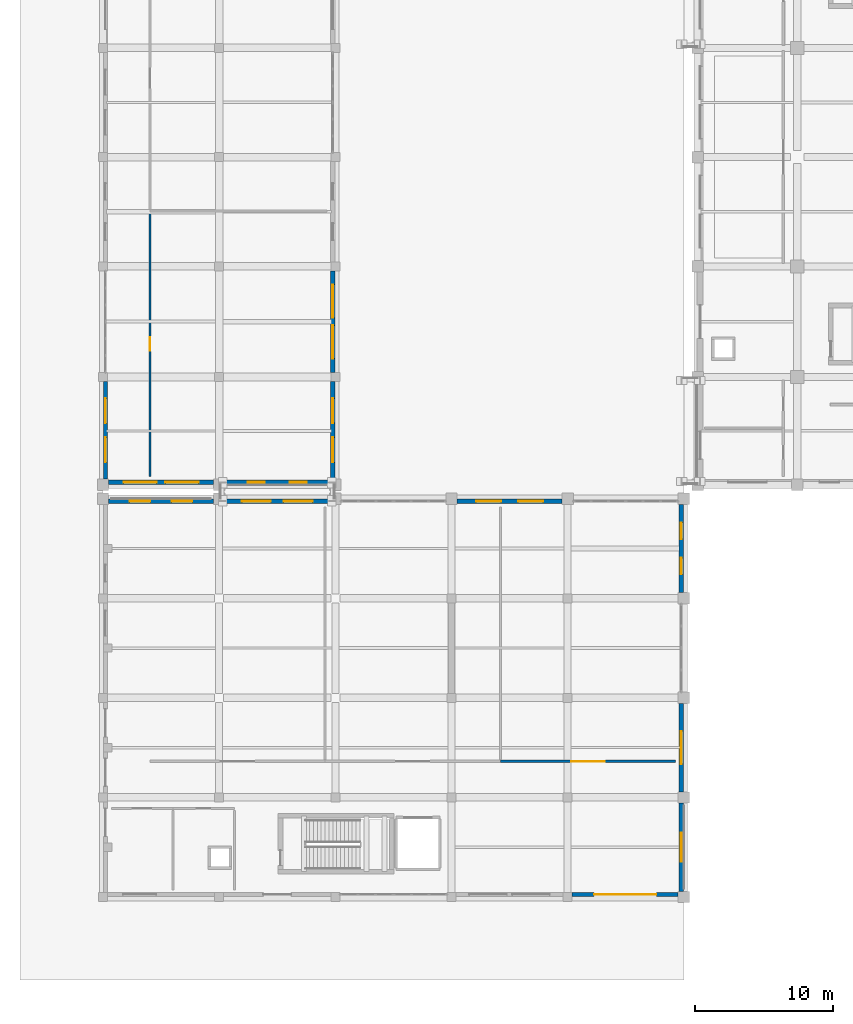
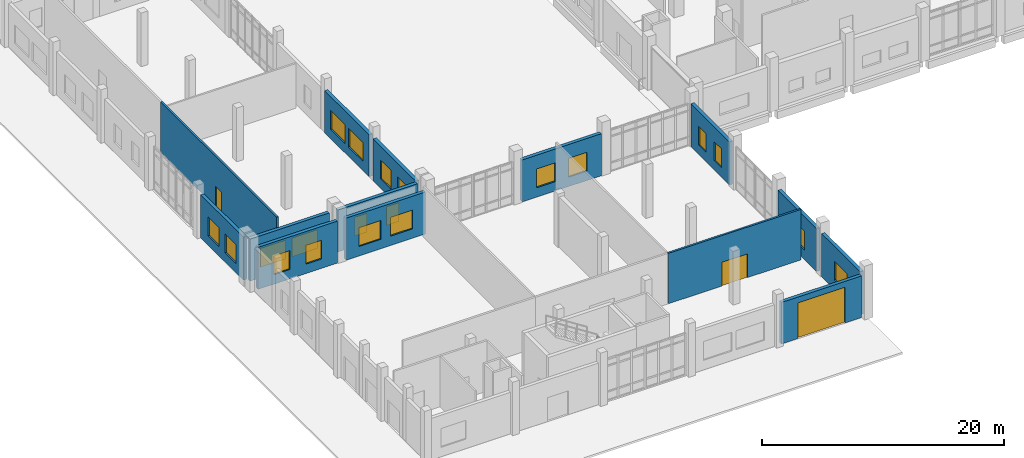
# One storey, part 51 of 79: 20 windows, 14 walls, 3 doors, 23 openings.
"""IFC4 building model written with IfcOpenShell, lengths in metres."""

from ifc_helpers import new_model, si_unit, direction, frame, frame_2d, origin, place, context, subcontext, project, spatial, rectangle, extrude, material, layer, layer_set, type_object, element, fill, save


model = new_model("IFC4")

# Units and contexts
model_context = context("Model", 3, precision=1e-05, world=origin(), true_north=direction((0.0, 1.0)))
body_context = subcontext(model_context, "Body", "Model", "MODEL_VIEW")
ifc_project = project(units=[si_unit("LENGTHUNIT", "METRE"), si_unit("AREAUNIT", "SQUARE_METRE"), si_unit("VOLUMEUNIT", "CUBIC_METRE"), si_unit("PLANEANGLEUNIT", "RADIAN"), si_unit("MASSUNIT", "GRAM", prefix="KILO")], contexts=[model_context])

# Site, building, storey
site_placement = place(None, origin())
site = spatial("IfcSite", under=ifc_project, at=site_placement, CompositionType="ELEMENT")
building_placement = place(site_placement, origin())
building = spatial("IfcBuilding", under=site, at=building_placement, Name="Kelarvand Opera House", CompositionType="ELEMENT")
storey_placement = place(building_placement, origin())
storey = spatial("IfcBuildingStorey", under=building, at=storey_placement, Name="L00", CompositionType="ELEMENT", Elevation=0.0)

# Wall, opening, door
ifc_material_1 = material(Name="Concrete C35/45", Category="concrete")
ifc_layer_1 = layer(ifc_material_1, 0.179931640625, Name="Concrete C35/45", Category="concrete")
ifc_layer_set_1 = layer_set([ifc_layer_1], Name="Concrete C35/45")
wall_type_1 = type_object("IfcWallType", Name="Corridor Fire-Rated Partition Wall 180 EI90", PredefinedType="PARTITIONING", material=ifc_layer_set_1)
wall_1_placement = place(storey_placement, frame((37.73291015625, 18.800048828125, 0.0), z_axis=(0.0, 0.0, 1.0), x_axis=(1.0, 0.0, 0.0)))
wall_1 = element("IfcWall", 1, at=wall_1_placement, inside=storey, type_object=wall_type_1, Name="V4 L00 Partition Wall IW-90 (291)", PredefinedType="PARTITIONING", context=body_context, shape_type="SweptSolid", body=[
    extrude(rectangle(XDim=12.6669921875, YDim=0.179931640625, at=frame_2d((6.33349609375, 0.0))), origin(), (0.0, 0.0, 1.0), 5.092041015625),
])
opening_1_placement = place(wall_1_placement, frame((5.134033203125, 0.0, 0.0)))
opening_1 = element("IfcOpeningElement", 2, at=opening_1_placement, cuts=wall_1, Name="Opening D-05", PredefinedType="OPENING", context=body_context, shape_type="SweptSolid", body=[
    extrude(rectangle(XDim=2.39990234375, YDim=2.39990234375, at=frame_2d((1.199951171875, 1.199951171875))), frame((0.0, 0.10009765625, 0.0), z_axis=(0.0, -1.0, 0.0), x_axis=(1.0, 0.0, 0.0)), (0.0, 0.0, 1.0), 0.199951171875),
])
ifc_material_2 = material(Name="Acoustic walnut-veneered hardwood", Category="wood")
door_type_1 = type_object("IfcDoorType", Name="Stage Acoustic Scenery Double Door 2400x2400", OperationType="NOTDEFINED", PredefinedType="DOOR", material=ifc_material_2)
door_1_placement = place(opening_1_placement, origin())
door_1 = element("IfcDoor", 3, at=door_1_placement, inside=storey, type_object=door_type_1, Name="V4 L00 Door D-05 (126)", OperationType="DOUBLE_DOOR_SINGLE_SWING", OverallHeight=2.39990234375, OverallWidth=2.39990234375, PredefinedType="DOOR", context=body_context, shape_type="SweptSolid", body=[
    extrude(rectangle(XDim=2.39990234375, YDim=2.39990234375, at=frame_2d((1.199951171875, 1.199951171875))), frame((0.0, 0.02490234375, 0.0), z_axis=(0.0, -1.0, 0.0), x_axis=(1.0, 0.0, 0.0)), (0.0, 0.0, 1.0), 0.050048828125),
])
fill(opening_1, door_1)

wall_2_placement = place(storey_placement, frame((12.39990234375, 39.39990234375, 0.0), z_axis=(0.0, 0.0, 1.0), x_axis=(0.0, 1.0, 0.0)))
wall_2 = element("IfcWall", 4, at=wall_2_placement, inside=storey, type_object=wall_type_1, Name="V4 L00 Partition Wall IW-90 (296)", PredefinedType="PARTITIONING", context=body_context, shape_type="SweptSolid", body=[
    extrude(rectangle(XDim=19.2001953125, YDim=0.179931640625, at=frame_2d((9.60009765625, 0.0))), origin(), (0.0, 0.0, 1.0), 5.092041015625),
])
opening_2_placement = place(wall_2_placement, frame((9.110107421875, 0.0, 0.0)))
opening_2 = element("IfcOpeningElement", 5, at=opening_2_placement, cuts=wall_2, Name="Opening D-09", PredefinedType="OPENING", context=body_context, shape_type="SweptSolid", body=[
    extrude(rectangle(XDim=0.97998046875, YDim=2.080078125, at=frame_2d((0.489990234375, 1.0400390625))), frame((0.0, 0.10009765625, 0.0), z_axis=(0.0, -1.0, 0.0), x_axis=(1.0, 0.0, 0.0)), (0.0, 0.0, 1.0), 0.199951171875),
])
door_type_2 = type_object("IfcDoorType", Name="Soloist Acoustic Timber Door 980x2080", OperationType="NOTDEFINED", PredefinedType="DOOR", material=ifc_material_2)
door_2_placement = place(opening_2_placement, origin())
door_2 = element("IfcDoor", 6, at=door_2_placement, inside=storey, type_object=door_type_2, Name="V4 L00 Door D-09 (129)", OperationType="SINGLE_SWING_RIGHT", OverallHeight=2.080078125, OverallWidth=0.97998046875, PredefinedType="DOOR", context=body_context, shape_type="SweptSolid", body=[
    extrude(rectangle(XDim=0.97998046875, YDim=2.080078125, at=frame_2d((0.489990234375, 1.0400390625))), frame((0.0, 0.02490234375, 0.0), z_axis=(0.0, -1.0, 0.0), x_axis=(1.0, 0.0, 0.0)), (0.0, 0.0, 1.0), 0.050048828125),
])
fill(opening_2, door_2)

# Wall, openings, windows
ifc_layer_2 = layer(ifc_material_1, 0.320068359375, Name="Concrete C35/45", Category="concrete")
ifc_layer_set_2 = layer_set([ifc_layer_2], Name="Concrete C35/45")
wall_type_2 = type_object("IfcWallType", Name="Insulated Buff Brick Cavity Wall 320", PredefinedType="SOLIDWALL", material=ifc_layer_set_2)
wall_3_placement = place(storey_placement, frame((9.409912109375, 37.6201171875, 0.0), z_axis=(0.0, 0.0, 1.0), x_axis=(1.0, 0.0, 0.0)))
wall_3 = element("IfcWall", 7, at=wall_3_placement, inside=storey, type_object=wall_type_2, Name="V4 L00 Exterior Wall EW-320 (510)", PredefinedType="SOLIDWALL", context=body_context, shape_type="SweptSolid", body=[
    extrude(rectangle(XDim=7.580078125, YDim=0.320068359375, at=frame_2d((3.7900390625, 0.0))), origin(), (0.0, 0.0, 1.0), 4.241943359375),
])
opening_3_placement = place(wall_3_placement, frame((1.52392578125, 0.0, 0.949951171875)))
opening_3 = element("IfcOpeningElement", 8, at=opening_3_placement, cuts=wall_3, Name="Opening WN-11", PredefinedType="OPENING", context=body_context, shape_type="SweptSolid", body=[
    extrude(rectangle(XDim=1.5, YDim=1.89990234375, at=frame_2d((0.75, 0.949951171875))), frame((0.0, 0.169921875, 0.0), z_axis=(0.0, -1.0, 0.0), x_axis=(1.0, 0.0, 0.0)), (0.0, 0.0, 1.0), 0.340087890625),
])
opening_4_placement = place(wall_3_placement, frame((4.555908203125, 0.0, 0.949951171875)))
opening_4 = element("IfcOpeningElement", 9, at=opening_4_placement, cuts=wall_3, Name="Opening WN-11", PredefinedType="OPENING", context=body_context, shape_type="SweptSolid", body=[
    extrude(rectangle(XDim=1.5, YDim=1.89990234375, at=frame_2d((0.75, 0.949951171875))), frame((0.0, 0.169921875, 0.0), z_axis=(0.0, -1.0, 0.0), x_axis=(1.0, 0.0, 0.0)), (0.0, 0.0, 1.0), 0.340087890625),
])
ifc_material_3 = material(Name="Thermally broken aluminium and low-E double glazing", Category="aluminium")
window_type_1 = type_object("IfcWindowType", Name="Recessed Aluminium Thermal Window 1500x1900 WN-11", PartitioningType="SINGLE_PANEL", PredefinedType="WINDOW", material=ifc_material_3)
window_1_placement = place(opening_3_placement, origin())
window_1 = element("IfcWindow", 10, at=window_1_placement, inside=storey, type_object=window_type_1, Name="V4 L00 Facade Window WN-11 (205)", OverallHeight=1.89990234375, OverallWidth=1.5, PartitioningType="SINGLE_PANEL", PredefinedType="WINDOW", context=body_context, shape_type="SweptSolid", body=[
    extrude(rectangle(XDim=1.5, YDim=1.89990234375, at=frame_2d((0.75, 0.949951171875))), frame((0.0, 0.030029296875, 0.0), z_axis=(0.0, -1.0, 0.0), x_axis=(1.0, 0.0, 0.0)), (0.0, 0.0, 1.0), 0.06005859375),
])
fill(opening_3, window_1)
window_2_placement = place(opening_4_placement, origin())
window_2 = element("IfcWindow", 11, at=window_2_placement, inside=storey, type_object=window_type_1, Name="V4 L00 Facade Window WN-11 (206)", OverallHeight=1.89990234375, OverallWidth=1.5, PartitioningType="SINGLE_PANEL", PredefinedType="WINDOW", context=body_context, shape_type="SweptSolid", body=[
    extrude(rectangle(XDim=1.5, YDim=1.89990234375, at=frame_2d((0.75, 0.949951171875))), frame((0.0, 0.030029296875, 0.0), z_axis=(0.0, -1.0, 0.0), x_axis=(1.0, 0.0, 0.0)), (0.0, 0.0, 1.0), 0.06005859375),
])
fill(opening_4, window_2)

wall_4_placement = place(storey_placement, frame((17.81005859375, 37.6201171875, 0.0), z_axis=(0.0, 0.0, 1.0), x_axis=(1.0, 0.0, 0.0)))
wall_4 = element("IfcWall", 12, at=wall_4_placement, inside=storey, type_object=wall_type_2, Name="V4 L00 Exterior Wall EW-320 (511)", PredefinedType="SOLIDWALL", context=body_context, shape_type="SweptSolid", body=[
    extrude(rectangle(XDim=7.579833984375, YDim=0.320068359375, at=frame_2d((3.7900390625, 0.0))), origin(), (0.0, 0.0, 1.0), 4.241943359375),
])
opening_5_placement = place(wall_4_placement, frame((1.22412109375, 0.0, 0.949951171875)))
opening_5 = element("IfcOpeningElement", 13, at=opening_5_placement, cuts=wall_4, Name="Opening WN-13", PredefinedType="OPENING", context=body_context, shape_type="SweptSolid", body=[
    extrude(rectangle(XDim=2.10009765625, YDim=1.89990234375, at=frame_2d((1.050048828125, 0.949951171875))), frame((0.0, 0.169921875, 0.0), z_axis=(0.0, -1.0, 0.0), x_axis=(1.0, 0.0, 0.0)), (0.0, 0.0, 1.0), 0.340087890625),
])
opening_6_placement = place(wall_4_placement, frame((4.256103515625, 0.0, 0.949951171875)))
opening_6 = element("IfcOpeningElement", 14, at=opening_6_placement, cuts=wall_4, Name="Opening WN-13", PredefinedType="OPENING", context=body_context, shape_type="SweptSolid", body=[
    extrude(rectangle(XDim=2.10009765625, YDim=1.89990234375, at=frame_2d((1.050048828125, 0.949951171875))), frame((0.0, 0.169921875, 0.0), z_axis=(0.0, -1.0, 0.0), x_axis=(1.0, 0.0, 0.0)), (0.0, 0.0, 1.0), 0.340087890625),
])
window_type_2 = type_object("IfcWindowType", Name="Recessed Aluminium Thermal Window 2100x1900 WN-13", PartitioningType="SINGLE_PANEL", PredefinedType="WINDOW", material=ifc_material_3)
window_3_placement = place(opening_5_placement, origin())
window_3 = element("IfcWindow", 15, at=window_3_placement, inside=storey, type_object=window_type_2, Name="V4 L00 Facade Window WN-13 (207)", OverallHeight=1.89990234375, OverallWidth=2.10009765625, PartitioningType="SINGLE_PANEL", PredefinedType="WINDOW", context=body_context, shape_type="SweptSolid", body=[
    extrude(rectangle(XDim=2.10009765625, YDim=1.89990234375, at=frame_2d((1.050048828125, 0.949951171875))), frame((0.0, 0.030029296875, 0.0), z_axis=(0.0, -1.0, 0.0), x_axis=(1.0, 0.0, 0.0)), (0.0, 0.0, 1.0), 0.06005859375),
])
fill(opening_5, window_3)
window_4_placement = place(opening_6_placement, origin())
window_4 = element("IfcWindow", 16, at=window_4_placement, inside=storey, type_object=window_type_2, Name="V4 L00 Facade Window WN-13 (208)", OverallHeight=1.89990234375, OverallWidth=2.10009765625, PartitioningType="SINGLE_PANEL", PredefinedType="WINDOW", context=body_context, shape_type="SweptSolid", body=[
    extrude(rectangle(XDim=2.10009765625, YDim=1.89990234375, at=frame_2d((1.050048828125, 0.949951171875))), frame((0.0, 0.030029296875, 0.0), z_axis=(0.0, -1.0, 0.0), x_axis=(1.0, 0.0, 0.0)), (0.0, 0.0, 1.0), 0.06005859375),
])
fill(opening_6, window_4)

wall_5_placement = place(storey_placement, frame((34.610107421875, 37.6201171875, 0.0), z_axis=(0.0, 0.0, 1.0), x_axis=(1.0, 0.0, 0.0)))
wall_5 = element("IfcWall", 17, at=wall_5_placement, inside=storey, type_object=wall_type_2, Name="V4 L00 Exterior Wall EW-320 (512)", PredefinedType="SOLIDWALL", context=body_context, shape_type="SweptSolid", body=[
    extrude(rectangle(XDim=7.579833984375, YDim=0.320068359375, at=frame_2d((3.7900390625, 0.0))), origin(), (0.0, 0.0, 1.0), 4.241943359375),
])
opening_7_placement = place(wall_5_placement, frame((1.3740234375, 0.0, 0.949951171875)))
opening_7 = element("IfcOpeningElement", 18, at=opening_7_placement, cuts=wall_5, Name="Opening WN-12", PredefinedType="OPENING", context=body_context, shape_type="SweptSolid", body=[
    extrude(rectangle(XDim=1.800048828125, YDim=1.89990234375, at=frame_2d((0.89990234375, 0.949951171875))), frame((0.0, 0.169921875, 0.0), z_axis=(0.0, -1.0, 0.0), x_axis=(1.0, 0.0, 0.0)), (0.0, 0.0, 1.0), 0.340087890625),
])
opening_8_placement = place(wall_5_placement, frame((4.406005859375, 0.0, 0.949951171875)))
opening_8 = element("IfcOpeningElement", 19, at=opening_8_placement, cuts=wall_5, Name="Opening WN-12", PredefinedType="OPENING", context=body_context, shape_type="SweptSolid", body=[
    extrude(rectangle(XDim=1.800048828125, YDim=1.89990234375, at=frame_2d((0.89990234375, 0.949951171875))), frame((0.0, 0.169921875, 0.0), z_axis=(0.0, -1.0, 0.0), x_axis=(1.0, 0.0, 0.0)), (0.0, 0.0, 1.0), 0.340087890625),
])
window_type_3 = type_object("IfcWindowType", Name="Recessed Aluminium Thermal Window 1800x1900 WN-12", PartitioningType="SINGLE_PANEL", PredefinedType="WINDOW", material=ifc_material_3)
window_5_placement = place(opening_7_placement, origin())
window_5 = element("IfcWindow", 20, at=window_5_placement, inside=storey, type_object=window_type_3, Name="V4 L00 Facade Window WN-12 (209)", OverallHeight=1.89990234375, OverallWidth=1.800048828125, PartitioningType="SINGLE_PANEL", PredefinedType="WINDOW", context=body_context, shape_type="SweptSolid", body=[
    extrude(rectangle(XDim=1.800048828125, YDim=1.89990234375, at=frame_2d((0.89990234375, 0.949951171875))), frame((0.0, 0.030029296875, 0.0), z_axis=(0.0, -1.0, 0.0), x_axis=(1.0, 0.0, 0.0)), (0.0, 0.0, 1.0), 0.06005859375),
])
fill(opening_7, window_5)
window_6_placement = place(opening_8_placement, origin())
window_6 = element("IfcWindow", 21, at=window_6_placement, inside=storey, type_object=window_type_3, Name="V4 L00 Facade Window WN-12 (210)", OverallHeight=1.89990234375, OverallWidth=1.800048828125, PartitioningType="SINGLE_PANEL", PredefinedType="WINDOW", context=body_context, shape_type="SweptSolid", body=[
    extrude(rectangle(XDim=1.800048828125, YDim=1.89990234375, at=frame_2d((0.89990234375, 0.949951171875))), frame((0.0, 0.030029296875, 0.0), z_axis=(0.0, -1.0, 0.0), x_axis=(1.0, 0.0, 0.0)), (0.0, 0.0, 1.0), 0.06005859375),
])
fill(opening_8, window_6)

wall_6_placement = place(storey_placement, frame((50.820068359375, 37.389892578125, 0.0), z_axis=(0.0, 0.0, 1.0), x_axis=(0.0, -1.0, 0.0)))
wall_6 = element("IfcWall", 22, at=wall_6_placement, inside=storey, type_object=wall_type_2, Name="V4 L00 Exterior Wall EW-320 (513)", PredefinedType="SOLIDWALL", context=body_context, shape_type="SweptSolid", body=[
    extrude(rectangle(XDim=6.3798828125, YDim=0.320068359375, at=frame_2d((3.18994140625, 0.0))), origin(), (0.0, 0.0, 1.0), 4.342041015625),
])
opening_9_placement = place(wall_6_placement, frame((1.31396484375, 0.0, 0.949951171875)))
opening_9 = element("IfcOpeningElement", 23, at=opening_9_placement, cuts=wall_6, Name="Opening WN-10", PredefinedType="OPENING", context=body_context, shape_type="SweptSolid", body=[
    extrude(rectangle(XDim=1.199951171875, YDim=1.89990234375, at=frame_2d((0.60009765625, 0.949951171875))), frame((0.0, 0.169921875, 0.0), z_axis=(0.0, -1.0, 0.0), x_axis=(1.0, 0.0, 0.0)), (0.0, 0.0, 1.0), 0.340087890625),
])
opening_10_placement = place(wall_6_placement, frame((3.865966796875, 0.0, 0.949951171875)))
opening_10 = element("IfcOpeningElement", 24, at=opening_10_placement, cuts=wall_6, Name="Opening WN-10", PredefinedType="OPENING", context=body_context, shape_type="SweptSolid", body=[
    extrude(rectangle(XDim=1.199951171875, YDim=1.89990234375, at=frame_2d((0.60009765625, 0.949951171875))), frame((0.0, 0.169921875, 0.0), z_axis=(0.0, -1.0, 0.0), x_axis=(1.0, 0.0, 0.0)), (0.0, 0.0, 1.0), 0.340087890625),
])
window_type_4 = type_object("IfcWindowType", Name="Recessed Aluminium Thermal Window 1200x1900 WN-10", PartitioningType="SINGLE_PANEL", PredefinedType="WINDOW", material=ifc_material_3)
window_7_placement = place(opening_9_placement, origin())
window_7 = element("IfcWindow", 25, at=window_7_placement, inside=storey, type_object=window_type_4, Name="V4 L00 Facade Window WN-10 (211)", OverallHeight=1.89990234375, OverallWidth=1.199951171875, PartitioningType="SINGLE_PANEL", PredefinedType="WINDOW", context=body_context, shape_type="SweptSolid", body=[
    extrude(rectangle(XDim=1.199951171875, YDim=1.89990234375, at=frame_2d((0.60009765625, 0.949951171875))), frame((0.0, 0.030029296875, 0.0), z_axis=(0.0, -1.0, 0.0), x_axis=(1.0, 0.0, 0.0)), (0.0, 0.0, 1.0), 0.06005859375),
])
fill(opening_9, window_7)
window_8_placement = place(opening_10_placement, origin())
window_8 = element("IfcWindow", 26, at=window_8_placement, inside=storey, type_object=window_type_4, Name="V4 L00 Facade Window WN-10 (212)", OverallHeight=1.89990234375, OverallWidth=1.199951171875, PartitioningType="SINGLE_PANEL", PredefinedType="WINDOW", context=body_context, shape_type="SweptSolid", body=[
    extrude(rectangle(XDim=1.199951171875, YDim=1.89990234375, at=frame_2d((0.60009765625, 0.949951171875))), frame((0.0, 0.030029296875, 0.0), z_axis=(0.0, -1.0, 0.0), x_axis=(1.0, 0.0, 0.0)), (0.0, 0.0, 1.0), 0.06005859375),
])
fill(opening_10, window_8)

# Wall, opening, window
wall_7_placement = place(storey_placement, frame((50.820068359375, 22.989990234375, 0.0), z_axis=(0.0, 0.0, 1.0), x_axis=(0.0, -1.0, 0.0)))
wall_7 = element("IfcWall", 27, at=wall_7_placement, inside=storey, type_object=wall_type_2, Name="V4 L00 Exterior Wall EW-320 (514)", PredefinedType="SOLIDWALL", context=body_context, shape_type="SweptSolid", body=[
    extrude(rectangle(XDim=6.3798828125, YDim=0.320068359375, at=frame_2d((3.18994140625, 0.0))), origin(), (0.0, 0.0, 1.0), 4.342041015625),
])
opening_11_placement = place(wall_7_placement, frame((1.989990234375, 0.0, 0.949951171875)))
opening_11 = element("IfcOpeningElement", 28, at=opening_11_placement, cuts=wall_7, Name="Opening WN-14", PredefinedType="OPENING", context=body_context, shape_type="SweptSolid", body=[
    extrude(rectangle(XDim=2.39990234375, YDim=1.89990234375, at=frame_2d((1.199951171875, 0.949951171875))), frame((0.0, 0.169921875, 0.0), z_axis=(0.0, -1.0, 0.0), x_axis=(1.0, 0.0, 0.0)), (0.0, 0.0, 1.0), 0.340087890625),
])
window_type_5 = type_object("IfcWindowType", Name="Recessed Aluminium Thermal Window 2400x1900 WN-14", PartitioningType="SINGLE_PANEL", PredefinedType="WINDOW", material=ifc_material_3)
window_9_placement = place(opening_11_placement, origin())
window_9 = element("IfcWindow", 29, at=window_9_placement, inside=storey, type_object=window_type_5, Name="V4 L00 Facade Window WN-14 (213)", OverallHeight=1.89990234375, OverallWidth=2.39990234375, PartitioningType="SINGLE_PANEL", PredefinedType="WINDOW", context=body_context, shape_type="SweptSolid", body=[
    extrude(rectangle(XDim=2.39990234375, YDim=1.89990234375, at=frame_2d((1.199951171875, 0.949951171875))), frame((0.0, 0.030029296875, 0.0), z_axis=(0.0, -1.0, 0.0), x_axis=(1.0, 0.0, 0.0)), (0.0, 0.0, 1.0), 0.06005859375),
])
fill(opening_11, window_9)

wall_8_placement = place(storey_placement, frame((50.820068359375, 15.7900390625, 0.0), z_axis=(0.0, 0.0, 1.0), x_axis=(0.0, -1.0, 0.0)))
wall_8 = element("IfcWall", 30, at=wall_8_placement, inside=storey, type_object=wall_type_2, Name="V4 L00 Exterior Wall EW-320 (515)", PredefinedType="SOLIDWALL", context=body_context, shape_type="SweptSolid", body=[
    extrude(rectangle(XDim=6.380126953125, YDim=0.320068359375, at=frame_2d((3.18994140625, 0.0))), origin(), (0.0, 0.0, 1.0), 4.342041015625),
])
opening_12_placement = place(wall_8_placement, frame((2.139892578125, 0.0, 0.949951171875)))
opening_12 = element("IfcOpeningElement", 31, at=opening_12_placement, cuts=wall_8, Name="Opening WN-13", PredefinedType="OPENING", context=body_context, shape_type="SweptSolid", body=[
    extrude(rectangle(XDim=2.10009765625, YDim=1.89990234375, at=frame_2d((1.050048828125, 0.949951171875))), frame((0.0, 0.169921875, 0.0), z_axis=(0.0, -1.0, 0.0), x_axis=(1.0, 0.0, 0.0)), (0.0, 0.0, 1.0), 0.340087890625),
])
window_10_placement = place(opening_12_placement, origin())
window_10 = element("IfcWindow", 32, at=window_10_placement, inside=storey, type_object=window_type_2, Name="V4 L00 Facade Window WN-13 (214)", OverallHeight=1.89990234375, OverallWidth=2.10009765625, PartitioningType="SINGLE_PANEL", PredefinedType="WINDOW", context=body_context, shape_type="SweptSolid", body=[
    extrude(rectangle(XDim=2.10009765625, YDim=1.89990234375, at=frame_2d((1.050048828125, 0.949951171875))), frame((0.0, 0.030029296875, 0.0), z_axis=(0.0, -1.0, 0.0), x_axis=(1.0, 0.0, 0.0)), (0.0, 0.0, 1.0), 0.06005859375),
])
fill(opening_12, window_10)

# Wall, opening, door
wall_9_placement = place(storey_placement, frame((50.590087890625, 9.179931640625, 0.0), z_axis=(0.0, 0.0, 1.0), x_axis=(-1.0, 0.0, 0.0)))
wall_9 = element("IfcWall", 33, at=wall_9_placement, inside=storey, type_object=wall_type_2, Name="V4 L00 Exterior Wall EW-320 (516)", PredefinedType="SOLIDWALL", context=body_context, shape_type="SweptSolid", body=[
    extrude(rectangle(XDim=7.6650390625, YDim=0.320068359375, at=frame_2d((3.83251953125, 0.0))), origin(), (0.0, 0.0, 1.0), 4.19189453125),
])
opening_13_placement = place(wall_9_placement, frame((1.5830078125, 0.0, 0.0)))
opening_13 = element("IfcOpeningElement", 34, at=opening_13_placement, cuts=wall_9, Name="Opening SD-01", PredefinedType="OPENING", context=body_context, shape_type="SweptSolid", body=[
    extrude(rectangle(XDim=4.5, YDim=3.60009765625, at=frame_2d((2.25, 1.800048828125))), frame((0.0, 0.169921875, 0.0), z_axis=(0.0, -1.0, 0.0), x_axis=(1.0, 0.0, 0.0)), (0.0, 0.0, 1.0), 0.340087890625),
])
ifc_material_4 = material(Name="Insulated acoustic steel shutter slats", Category="steel")
door_type_3 = type_object("IfcDoorType", Name="Acoustic Semi-Trailer Loading Dock Shutter 4500x3600", OperationType="ROLLINGUP", PredefinedType="DOOR", material=ifc_material_4)
door_3_placement = place(opening_13_placement, origin())
door_3 = element("IfcDoor", 35, at=door_3_placement, inside=storey, type_object=door_type_3, Name="Semi-Trailer Scenery Loading Dock Shutter SD-01", OperationType="ROLLINGUP", OverallHeight=3.60009765625, OverallWidth=4.5, PredefinedType="DOOR", context=body_context, shape_type="SweptSolid", body=[
    extrude(rectangle(XDim=4.5, YDim=3.60009765625, at=frame_2d((2.25, 1.800048828125))), frame((0.0, 0.02490234375, 0.0), z_axis=(0.0, -1.0, 0.0), x_axis=(1.0, 0.0, 0.0)), (0.0, 0.0, 1.0), 0.050048828125),
])
fill(opening_13, door_3)

# Wall, openings, windows
wall_10_placement = place(storey_placement, frame((9.179931640625, 39.2099609375, 0.0), z_axis=(0.0, 0.0, 1.0), x_axis=(0.0, 1.0, 0.0)))
wall_10 = element("IfcWall", 36, at=wall_10_placement, inside=storey, type_object=wall_type_2, Name="V4 L00 Exterior Wall EW-320 (520)", PredefinedType="SOLIDWALL", context=body_context, shape_type="SweptSolid", body=[
    extrude(rectangle(XDim=7.06494140625, YDim=0.320068359375, at=frame_2d((3.532470703125, 0.0))), origin(), (0.0, 0.0, 1.0), 4.342041015625),
])
opening_14_placement = place(wall_10_placement, frame((1.218994140625, 0.0, 0.949951171875)))
opening_14 = element("IfcOpeningElement", 37, at=opening_14_placement, cuts=wall_10, Name="Opening WN-12", PredefinedType="OPENING", context=body_context, shape_type="SweptSolid", body=[
    extrude(rectangle(XDim=1.800048828125, YDim=1.89990234375, at=frame_2d((0.89990234375, 0.949951171875))), frame((0.0, 0.169921875, 0.0), z_axis=(0.0, -1.0, 0.0), x_axis=(1.0, 0.0, 0.0)), (0.0, 0.0, 1.0), 0.340087890625),
])
opening_15_placement = place(wall_10_placement, frame((4.044921875, 0.0, 0.949951171875)))
opening_15 = element("IfcOpeningElement", 38, at=opening_15_placement, cuts=wall_10, Name="Opening WN-12", PredefinedType="OPENING", context=body_context, shape_type="SweptSolid", body=[
    extrude(rectangle(XDim=1.800048828125, YDim=1.89990234375, at=frame_2d((0.89990234375, 0.949951171875))), frame((0.0, 0.169921875, 0.0), z_axis=(0.0, -1.0, 0.0), x_axis=(1.0, 0.0, 0.0)), (0.0, 0.0, 1.0), 0.340087890625),
])
window_11_placement = place(opening_14_placement, origin())
window_11 = element("IfcWindow", 39, at=window_11_placement, inside=storey, type_object=window_type_3, Name="V4 L00 Facade Window WN-12 (218)", OverallHeight=1.89990234375, OverallWidth=1.800048828125, PartitioningType="SINGLE_PANEL", PredefinedType="WINDOW", context=body_context, shape_type="SweptSolid", body=[
    extrude(rectangle(XDim=1.800048828125, YDim=1.89990234375, at=frame_2d((0.89990234375, 0.949951171875))), frame((0.0, 0.030029296875, 0.0), z_axis=(0.0, -1.0, 0.0), x_axis=(1.0, 0.0, 0.0)), (0.0, 0.0, 1.0), 0.06005859375),
])
fill(opening_14, window_11)
window_12_placement = place(opening_15_placement, origin())
window_12 = element("IfcWindow", 40, at=window_12_placement, inside=storey, type_object=window_type_3, Name="V4 L00 Facade Window WN-12 (219)", OverallHeight=1.89990234375, OverallWidth=1.800048828125, PartitioningType="SINGLE_PANEL", PredefinedType="WINDOW", context=body_context, shape_type="SweptSolid", body=[
    extrude(rectangle(XDim=1.800048828125, YDim=1.89990234375, at=frame_2d((0.89990234375, 0.949951171875))), frame((0.0, 0.030029296875, 0.0), z_axis=(0.0, -1.0, 0.0), x_axis=(1.0, 0.0, 0.0)), (0.0, 0.0, 1.0), 0.06005859375),
])
fill(opening_15, window_12)

wall_11_placement = place(storey_placement, frame((25.6201171875, 54.27490234375, 0.0), z_axis=(0.0, 0.0, 1.0), x_axis=(0.0, -1.0, 0.0)))
wall_11 = element("IfcWall", 41, at=wall_11_placement, inside=storey, type_object=wall_type_2, Name="V4 L00 Exterior Wall EW-320 (528)", PredefinedType="SOLIDWALL", context=body_context, shape_type="SweptSolid", body=[
    extrude(rectangle(XDim=7.349853515625, YDim=0.320068359375, at=frame_2d((3.6748046875, 0.0))), origin(), (0.0, 0.0, 1.0), 4.241943359375),
])
opening_16_placement = place(wall_11_placement, frame((1.0048828125, 0.0, 0.949951171875)))
opening_16 = element("IfcOpeningElement", 42, at=opening_16_placement, cuts=wall_11, Name="Opening WN-14", PredefinedType="OPENING", context=body_context, shape_type="SweptSolid", body=[
    extrude(rectangle(XDim=2.39990234375, YDim=1.89990234375, at=frame_2d((1.199951171875, 0.949951171875))), frame((0.0, 0.169921875, 0.0), z_axis=(0.0, -1.0, 0.0), x_axis=(1.0, 0.0, 0.0)), (0.0, 0.0, 1.0), 0.340087890625),
])
opening_17_placement = place(wall_11_placement, frame((3.945068359375, 0.0, 0.949951171875)))
opening_17 = element("IfcOpeningElement", 43, at=opening_17_placement, cuts=wall_11, Name="Opening WN-14", PredefinedType="OPENING", context=body_context, shape_type="SweptSolid", body=[
    extrude(rectangle(XDim=2.39990234375, YDim=1.89990234375, at=frame_2d((1.199951171875, 0.949951171875))), frame((0.0, 0.169921875, 0.0), z_axis=(0.0, -1.0, 0.0), x_axis=(1.0, 0.0, 0.0)), (0.0, 0.0, 1.0), 0.340087890625),
])
window_13_placement = place(opening_16_placement, origin())
window_13 = element("IfcWindow", 44, at=window_13_placement, inside=storey, type_object=window_type_5, Name="V4 L00 Facade Window WN-14 (234)", OverallHeight=1.89990234375, OverallWidth=2.39990234375, PartitioningType="SINGLE_PANEL", PredefinedType="WINDOW", context=body_context, shape_type="SweptSolid", body=[
    extrude(rectangle(XDim=2.39990234375, YDim=1.89990234375, at=frame_2d((1.199951171875, 0.949951171875))), frame((0.0, 0.030029296875, 0.0), z_axis=(0.0, -1.0, 0.0), x_axis=(1.0, 0.0, 0.0)), (0.0, 0.0, 1.0), 0.06005859375),
])
fill(opening_16, window_13)
window_14_placement = place(opening_17_placement, origin())
window_14 = element("IfcWindow", 45, at=window_14_placement, inside=storey, type_object=window_type_5, Name="V4 L00 Facade Window WN-14 (235)", OverallHeight=1.89990234375, OverallWidth=2.39990234375, PartitioningType="SINGLE_PANEL", PredefinedType="WINDOW", context=body_context, shape_type="SweptSolid", body=[
    extrude(rectangle(XDim=2.39990234375, YDim=1.89990234375, at=frame_2d((1.199951171875, 0.949951171875))), frame((0.0, 0.030029296875, 0.0), z_axis=(0.0, -1.0, 0.0), x_axis=(1.0, 0.0, 0.0)), (0.0, 0.0, 1.0), 0.06005859375),
])
fill(opening_17, window_14)

wall_12_placement = place(storey_placement, frame((25.6201171875, 46.27490234375, 0.0), z_axis=(0.0, 0.0, 1.0), x_axis=(0.0, -1.0, 0.0)))
wall_12 = element("IfcWall", 46, at=wall_12_placement, inside=storey, type_object=wall_type_2, Name="V4 L00 Exterior Wall EW-320 (529)", PredefinedType="SOLIDWALL", context=body_context, shape_type="SweptSolid", body=[
    extrude(rectangle(XDim=7.06494140625, YDim=0.320068359375, at=frame_2d((3.532470703125, 0.0))), origin(), (0.0, 0.0, 1.0), 4.241943359375),
])
opening_18_placement = place(wall_12_placement, frame((1.218994140625, 0.0, 0.949951171875)))
opening_18 = element("IfcOpeningElement", 47, at=opening_18_placement, cuts=wall_12, Name="Opening WN-12", PredefinedType="OPENING", context=body_context, shape_type="SweptSolid", body=[
    extrude(rectangle(XDim=1.800048828125, YDim=1.89990234375, at=frame_2d((0.89990234375, 0.949951171875))), frame((0.0, 0.169921875, 0.0), z_axis=(0.0, -1.0, 0.0), x_axis=(1.0, 0.0, 0.0)), (0.0, 0.0, 1.0), 0.340087890625),
])
opening_19_placement = place(wall_12_placement, frame((4.044921875, 0.0, 0.949951171875)))
opening_19 = element("IfcOpeningElement", 48, at=opening_19_placement, cuts=wall_12, Name="Opening WN-12", PredefinedType="OPENING", context=body_context, shape_type="SweptSolid", body=[
    extrude(rectangle(XDim=1.800048828125, YDim=1.89990234375, at=frame_2d((0.89990234375, 0.949951171875))), frame((0.0, 0.169921875, 0.0), z_axis=(0.0, -1.0, 0.0), x_axis=(1.0, 0.0, 0.0)), (0.0, 0.0, 1.0), 0.340087890625),
])
window_15_placement = place(opening_18_placement, origin())
window_15 = element("IfcWindow", 49, at=window_15_placement, inside=storey, type_object=window_type_3, Name="V4 L00 Facade Window WN-12 (236)", OverallHeight=1.89990234375, OverallWidth=1.800048828125, PartitioningType="SINGLE_PANEL", PredefinedType="WINDOW", context=body_context, shape_type="SweptSolid", body=[
    extrude(rectangle(XDim=1.800048828125, YDim=1.89990234375, at=frame_2d((0.89990234375, 0.949951171875))), frame((0.0, 0.030029296875, 0.0), z_axis=(0.0, -1.0, 0.0), x_axis=(1.0, 0.0, 0.0)), (0.0, 0.0, 1.0), 0.06005859375),
])
fill(opening_18, window_15)
window_16_placement = place(opening_19_placement, origin())
window_16 = element("IfcWindow", 50, at=window_16_placement, inside=storey, type_object=window_type_3, Name="V4 L00 Facade Window WN-12 (237)", OverallHeight=1.89990234375, OverallWidth=1.800048828125, PartitioningType="SINGLE_PANEL", PredefinedType="WINDOW", context=body_context, shape_type="SweptSolid", body=[
    extrude(rectangle(XDim=1.800048828125, YDim=1.89990234375, at=frame_2d((0.89990234375, 0.949951171875))), frame((0.0, 0.030029296875, 0.0), z_axis=(0.0, -1.0, 0.0), x_axis=(1.0, 0.0, 0.0)), (0.0, 0.0, 1.0), 0.06005859375),
])
fill(opening_19, window_16)

wall_13_placement = place(storey_placement, frame((25.389892578125, 38.97998046875, 0.0), z_axis=(0.0, 0.0, 1.0), x_axis=(-1.0, 0.0, 0.0)))
wall_13 = element("IfcWall", 51, at=wall_13_placement, inside=storey, type_object=wall_type_2, Name="V4 L00 Exterior Wall EW-320 (530)", PredefinedType="SOLIDWALL", context=body_context, shape_type="SweptSolid", body=[
    extrude(rectangle(XDim=7.579833984375, YDim=0.320068359375, at=frame_2d((3.7900390625, 0.0))), origin(), (0.0, 0.0, 1.0), 4.241943359375),
])
opening_20_placement = place(wall_13_placement, frame((1.674072265625, 0.0, 0.949951171875)))
opening_20 = element("IfcOpeningElement", 52, at=opening_20_placement, cuts=wall_13, Name="Opening WN-10", PredefinedType="OPENING", context=body_context, shape_type="SweptSolid", body=[
    extrude(rectangle(XDim=1.199951171875, YDim=1.89990234375, at=frame_2d((0.60009765625, 0.949951171875))), frame((0.0, 0.169921875, 0.0), z_axis=(0.0, -1.0, 0.0), x_axis=(1.0, 0.0, 0.0)), (0.0, 0.0, 1.0), 0.340087890625),
])
opening_21_placement = place(wall_13_placement, frame((4.7060546875, 0.0, 0.949951171875)))
opening_21 = element("IfcOpeningElement", 53, at=opening_21_placement, cuts=wall_13, Name="Opening WN-10", PredefinedType="OPENING", context=body_context, shape_type="SweptSolid", body=[
    extrude(rectangle(XDim=1.199951171875, YDim=1.89990234375, at=frame_2d((0.60009765625, 0.949951171875))), frame((0.0, 0.169921875, 0.0), z_axis=(0.0, -1.0, 0.0), x_axis=(1.0, 0.0, 0.0)), (0.0, 0.0, 1.0), 0.340087890625),
])
window_17_placement = place(opening_20_placement, origin())
window_17 = element("IfcWindow", 54, at=window_17_placement, inside=storey, type_object=window_type_4, Name="V4 L00 Facade Window WN-10 (238)", OverallHeight=1.89990234375, OverallWidth=1.199951171875, PartitioningType="SINGLE_PANEL", PredefinedType="WINDOW", context=body_context, shape_type="SweptSolid", body=[
    extrude(rectangle(XDim=1.199951171875, YDim=1.89990234375, at=frame_2d((0.60009765625, 0.949951171875))), frame((0.0, 0.030029296875, 0.0), z_axis=(0.0, -1.0, 0.0), x_axis=(1.0, 0.0, 0.0)), (0.0, 0.0, 1.0), 0.06005859375),
])
fill(opening_20, window_17)
window_18_placement = place(opening_21_placement, origin())
window_18 = element("IfcWindow", 55, at=window_18_placement, inside=storey, type_object=window_type_4, Name="V4 L00 Facade Window WN-10 (239)", OverallHeight=1.89990234375, OverallWidth=1.199951171875, PartitioningType="SINGLE_PANEL", PredefinedType="WINDOW", context=body_context, shape_type="SweptSolid", body=[
    extrude(rectangle(XDim=1.199951171875, YDim=1.89990234375, at=frame_2d((0.60009765625, 0.949951171875))), frame((0.0, 0.030029296875, 0.0), z_axis=(0.0, -1.0, 0.0), x_axis=(1.0, 0.0, 0.0)), (0.0, 0.0, 1.0), 0.06005859375),
])
fill(opening_21, window_18)

wall_14_placement = place(storey_placement, frame((16.989990234375, 38.97998046875, 0.0), z_axis=(0.0, 0.0, 1.0), x_axis=(-1.0, 0.0, 0.0)))
wall_14 = element("IfcWall", 56, at=wall_14_placement, inside=storey, type_object=wall_type_2, Name="V4 L00 Exterior Wall EW-320 (531)", PredefinedType="SOLIDWALL", context=body_context, shape_type="SweptSolid", body=[
    extrude(rectangle(XDim=7.580078125, YDim=0.320068359375, at=frame_2d((3.7900390625, 0.0))), origin(), (0.0, 0.0, 1.0), 4.241943359375),
])
opening_22_placement = place(wall_14_placement, frame((1.073974609375, 0.0, 0.949951171875)))
opening_22 = element("IfcOpeningElement", 57, at=opening_22_placement, cuts=wall_14, Name="Opening WN-14", PredefinedType="OPENING", context=body_context, shape_type="SweptSolid", body=[
    extrude(rectangle(XDim=2.39990234375, YDim=1.89990234375, at=frame_2d((1.199951171875, 0.949951171875))), frame((0.0, 0.169921875, 0.0), z_axis=(0.0, -1.0, 0.0), x_axis=(1.0, 0.0, 0.0)), (0.0, 0.0, 1.0), 0.340087890625),
])
opening_23_placement = place(wall_14_placement, frame((4.10595703125, 0.0, 0.949951171875)))
opening_23 = element("IfcOpeningElement", 58, at=opening_23_placement, cuts=wall_14, Name="Opening WN-14", PredefinedType="OPENING", context=body_context, shape_type="SweptSolid", body=[
    extrude(rectangle(XDim=2.39990234375, YDim=1.89990234375, at=frame_2d((1.199951171875, 0.949951171875))), frame((0.0, 0.169921875, 0.0), z_axis=(0.0, -1.0, 0.0), x_axis=(1.0, 0.0, 0.0)), (0.0, 0.0, 1.0), 0.340087890625),
])
window_19_placement = place(opening_22_placement, origin())
window_19 = element("IfcWindow", 59, at=window_19_placement, inside=storey, type_object=window_type_5, Name="V4 L00 Facade Window WN-14 (240)", OverallHeight=1.89990234375, OverallWidth=2.39990234375, PartitioningType="SINGLE_PANEL", PredefinedType="WINDOW", context=body_context, shape_type="SweptSolid", body=[
    extrude(rectangle(XDim=2.39990234375, YDim=1.89990234375, at=frame_2d((1.199951171875, 0.949951171875))), frame((0.0, 0.030029296875, 0.0), z_axis=(0.0, -1.0, 0.0), x_axis=(1.0, 0.0, 0.0)), (0.0, 0.0, 1.0), 0.06005859375),
])
fill(opening_22, window_19)
window_20_placement = place(opening_23_placement, origin())
window_20 = element("IfcWindow", 60, at=window_20_placement, inside=storey, type_object=window_type_5, Name="V4 L00 Facade Window WN-14 (241)", OverallHeight=1.89990234375, OverallWidth=2.39990234375, PartitioningType="SINGLE_PANEL", PredefinedType="WINDOW", context=body_context, shape_type="SweptSolid", body=[
    extrude(rectangle(XDim=2.39990234375, YDim=1.89990234375, at=frame_2d((1.199951171875, 0.949951171875))), frame((0.0, 0.030029296875, 0.0), z_axis=(0.0, -1.0, 0.0), x_axis=(1.0, 0.0, 0.0)), (0.0, 0.0, 1.0), 0.06005859375),
])
fill(opening_23, window_20)

save(model, "model.ifc")
